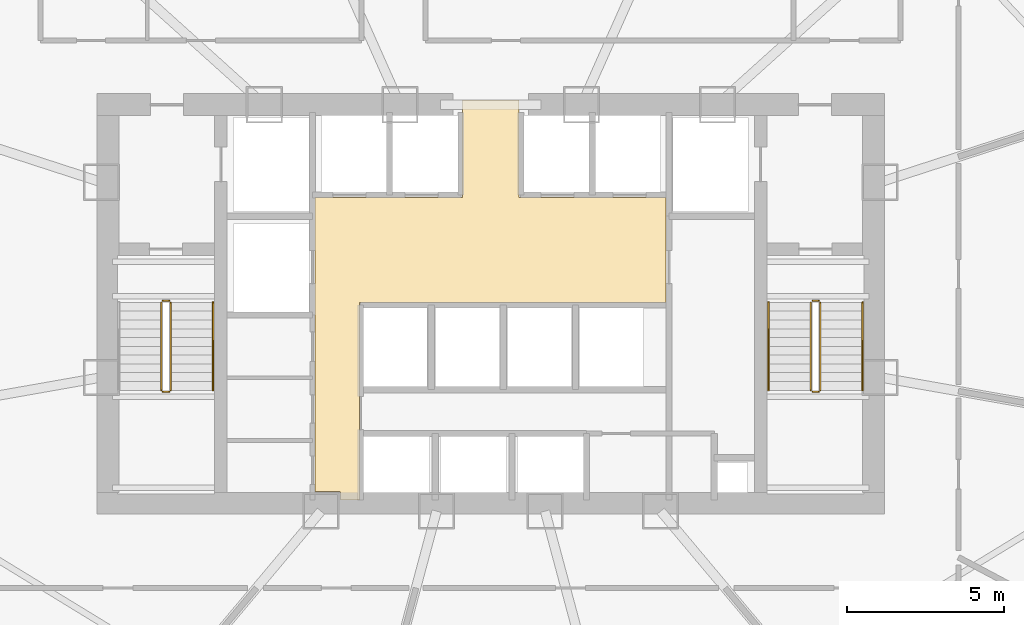
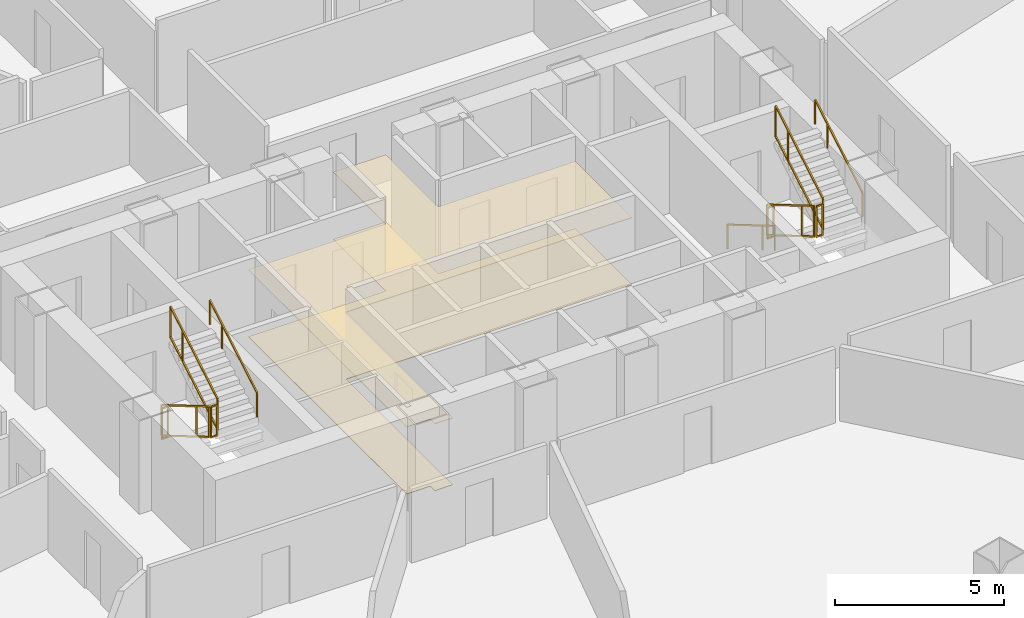
# One storey, part 35 of 37: 11 railings, 2 coverings.
"""IFC4 building model written with IfcOpenShell, lengths in metres."""

from ifc_helpers import new_model, si_unit, direction, frame, origin, origin_2d, place, context, subcontext, project, spatial, polyline, rectangle, outline, extrude, material, layer, layer_set, type_object, element, save


model = new_model("IFC4")

# Units and contexts
model_context = context("Model", 3, precision=1e-05, world=origin(), true_north=direction((0.0, 1.0)))
body_context = subcontext(model_context, "Body", "Model", "MODEL_VIEW")
ifc_project = project(units=[si_unit("LENGTHUNIT", "METRE"), si_unit("AREAUNIT", "SQUARE_METRE"), si_unit("VOLUMEUNIT", "CUBIC_METRE"), si_unit("PLANEANGLEUNIT", "RADIAN"), si_unit("MASSUNIT", "GRAM", prefix="KILO"), si_unit("THERMODYNAMICTEMPERATUREUNIT", "KELVIN"), si_unit("POWERUNIT", "WATT")], contexts=[model_context])

# Site, building, storey
site_placement = place(None, origin())
site = spatial("IfcSite", under=ifc_project, at=site_placement, CompositionType="ELEMENT")
building_placement = place(site_placement, origin())
building = spatial("IfcBuilding", under=site, at=building_placement, Name="Yunzhuo Pagoda Commons", CompositionType="ELEMENT")
storey_placement = place(building_placement, frame((0.0, 0.0, 55.81005859375)))
storey = spatial("IfcBuildingStorey", under=building, at=storey_placement, Name="L14", CompositionType="ELEMENT", Elevation=55.81005859375)

# Coverings
ifc_material_1 = material(Name="Mineral fibre acoustic ceiling board")
ifc_layer_1 = layer(ifc_material_1, 0.02490234375)
ifc_layer_set_1 = layer_set([ifc_layer_1], Name="Mineral fibre acoustic ceiling board")
covering_type_1 = type_object("IfcCoveringType", Name="COV-CL1 Ceiling 25", PredefinedType="CEILING", material=ifc_layer_set_1)
covering_1_placement = place(storey_placement, frame((0.0, 0.0, 2.419921875)))
element("IfcCovering", 1, at=covering_1_placement, inside=storey, type_object=covering_type_1, Name="L14 lift lobby acoustic ceiling", PredefinedType="CEILING", context=body_context, shape_type="SweptSolid", body=[
    extrude(outline(polyline([(43.207763671875, 27.85009765625), (43.201904296875, 27.864013671875), (43.187744140625, 27.8701171875), (42.39990234375, 27.8701171875), (42.39990234375, 33.89990234375), (42.39990234375, 37.25), (47.10009765625, 37.25), (47.10009765625, 40.35009765625), (48.89990234375, 40.35009765625), (48.89990234375, 37.25), (53.580078125, 37.25), (53.580078125, 33.89990234375), (43.820068359375, 33.89990234375), (43.820068359375, 27.60009765625), (43.207763671875, 27.60009765625), (43.207763671875, 27.85009765625)])), origin(), (0.0, 0.0, 1.0), 0.02490234375),
])
ifc_material_2 = material(Name="Porcelain ceramic floor tile")
ifc_layer_2 = layer(ifc_material_2, 0.02001953125)
ifc_layer_set_2 = layer_set([ifc_layer_2], Name="Porcelain ceramic floor tile")
covering_type_2 = type_object("IfcCoveringType", Name="COV-FL1 Flooring 20", PredefinedType="FLOORING", material=ifc_layer_set_2)
covering_2_placement = place(storey_placement, origin())
element("IfcCovering", 2, at=covering_2_placement, inside=storey, type_object=covering_type_2, Name="L14 lift lobby flooring", PredefinedType="FLOORING", context=body_context, shape_type="SweptSolid", body=[
    extrude(outline(polyline([(43.207763671875, 27.85009765625), (43.201904296875, 27.864013671875), (43.187744140625, 27.8701171875), (42.39990234375, 27.8701171875), (42.39990234375, 33.89990234375), (42.39990234375, 37.25), (47.10009765625, 37.25), (47.10009765625, 40.35009765625), (48.89990234375, 40.35009765625), (48.89990234375, 37.25), (53.580078125, 37.25), (53.580078125, 33.89990234375), (43.820068359375, 33.89990234375), (43.820068359375, 27.60009765625), (43.207763671875, 27.60009765625), (43.207763671875, 27.85009765625)])), origin(), (0.0, 0.0, 1.0), 0.02001953125),
])

# Railings
ifc_material_3 = material(Name="Anodized aluminium 6063-T6", Category="aluminium")
railing_type_1 = type_object("IfcRailingType", Name="GR-ST1 Stair Well Guardrail 1150", PredefinedType="GUARDRAIL", material=ifc_material_3)
railing_1_placement = place(storey_placement, frame((37.5, 33.89990234375, 0.1650390625)))
element("IfcRailing", 3, at=railing_1_placement, inside=storey, type_object=railing_type_1, Name="L14 ST1 stair guard 1", PredefinedType="GUARDRAIL", context=body_context, shape_type="SweptSolid", body=[
    extrude(rectangle(XDim=0.048095703125, YDim=0.048095703125, at=origin_2d()), frame((0.0, 0.0, 1.1259765625), z_axis=(0.0, -0.861536114422, 0.507696290658), x_axis=(1.0, 0.0, 0.0)), (0.0, 0.0, 1.0), 3.249755859375),
    extrude(rectangle(XDim=0.048095703125, YDim=0.048095703125, at=origin_2d()), frame((0.0, 0.0, 0.02392578125), z_axis=(0.0, -0.861536114422, 0.507696290658), x_axis=(1.0, 0.0, 0.0)), (0.0, 0.0, 1.0), 3.249755859375),
    extrude(rectangle(XDim=0.0419921875, YDim=0.0419921875, at=origin_2d()), origin(), (0.0, 0.0, 1.0), 1.101806640625),
    extrude(rectangle(XDim=0.0419921875, YDim=0.0419921875, at=origin_2d()), frame((0.0, -2.067626953125, 1.218505859375)), (0.0, 0.0, 1.0), 1.101806640625),
    extrude(rectangle(XDim=0.0419921875, YDim=0.0419921875, at=origin_2d()), frame((0.0, -2.7998046875, 1.64990234375)), (0.0, 0.0, 1.0), 1.101806640625),
])
railing_2_placement = place(storey_placement, frame((37.550048828125, 31.050048828125, 1.81494140625)))
element("IfcRailing", 4, at=railing_2_placement, inside=storey, type_object=railing_type_1, Name="L14 ST1 stair guard 2", PredefinedType="GUARDRAIL", context=body_context, shape_type="SweptSolid", body=[
    extrude(rectangle(XDim=0.048095703125, YDim=0.048095703125, at=origin_2d()), frame((0.0, 0.0, 1.1259765625), z_axis=(1.0, 0.0, 0.0), x_axis=(0.0, 1.0, 0.0)), (0.0, 0.0, 1.0), 0.199951171875),
    extrude(rectangle(XDim=0.048095703125, YDim=0.048095703125, at=origin_2d()), frame((0.0, 0.0, 0.02392578125), z_axis=(1.0, 0.0, 0.0), x_axis=(0.0, 1.0, 0.0)), (0.0, 0.0, 1.0), 0.199951171875),
    extrude(rectangle(XDim=0.0419921875, YDim=0.0419921875, at=origin_2d()), origin(), (0.0, 0.0, 1.0), 1.101806640625),
    extrude(rectangle(XDim=0.0419921875, YDim=0.0419921875, at=origin_2d()), frame((0.199951171875, 0.0, 0.0)), (0.0, 0.0, 1.0), 1.101806640625),
])
railing_3_placement = place(storey_placement, frame((37.800048828125, 31.10009765625, 1.97998046875)))
element("IfcRailing", 5, at=railing_3_placement, inside=storey, type_object=railing_type_1, Name="L14 ST1 stair guard 3", PredefinedType="GUARDRAIL", context=body_context, shape_type="SweptSolid", body=[
    extrude(rectangle(XDim=0.048095703125, YDim=0.048095703125, at=origin_2d()), frame((0.0, 0.0, 1.1259765625), z_axis=(0.0, 0.861536114422, 0.507696290658), x_axis=(-1.0, 0.0, 0.0)), (0.0, 0.0, 1.0), 3.249755859375),
    extrude(rectangle(XDim=0.048095703125, YDim=0.048095703125, at=origin_2d()), frame((0.0, 0.0, 0.02392578125), z_axis=(0.0, 0.861536114422, 0.507696290658), x_axis=(-1.0, 0.0, 0.0)), (0.0, 0.0, 1.0), 3.249755859375),
    extrude(rectangle(XDim=0.0419921875, YDim=0.0419921875, at=origin_2d()), origin(), (0.0, 0.0, 1.0), 1.101806640625),
    extrude(rectangle(XDim=0.0419921875, YDim=0.0419921875, at=origin_2d()), frame((0.0, 2.067626953125, 1.218505859375)), (0.0, 0.0, 1.0), 1.101806640625),
    extrude(rectangle(XDim=0.0419921875, YDim=0.0419921875, at=origin_2d()), frame((0.0, 2.7998046875, 1.64990234375)), (0.0, 0.0, 1.0), 1.101806640625),
])
railing_4_placement = place(storey_placement, frame((37.550048828125, 33.949951171875, 0.0)))
element("IfcRailing", 6, at=railing_4_placement, inside=storey, type_object=railing_type_1, Name="L14 ST1 stair guard 4", PredefinedType="GUARDRAIL", context=body_context, shape_type="SweptSolid", body=[
    extrude(rectangle(XDim=0.048095703125, YDim=0.048095703125, at=origin_2d()), frame((0.0, 0.0, 1.1259765625), z_axis=(1.0, 0.0, 0.0), x_axis=(0.0, 1.0, 0.0)), (0.0, 0.0, 1.0), 0.199951171875),
    extrude(rectangle(XDim=0.048095703125, YDim=0.048095703125, at=origin_2d()), frame((0.0, 0.0, 0.02392578125), z_axis=(1.0, 0.0, 0.0), x_axis=(0.0, 1.0, 0.0)), (0.0, 0.0, 1.0), 0.199951171875),
    extrude(rectangle(XDim=0.0419921875, YDim=0.0419921875, at=origin_2d()), origin(), (0.0, 0.0, 1.0), 1.101806640625),
    extrude(rectangle(XDim=0.0419921875, YDim=0.0419921875, at=origin_2d()), frame((0.199951171875, 0.0, 0.0)), (0.0, 0.0, 1.0), 1.101806640625),
])
railing_type_2 = type_object("IfcRailingType", Name="GR-ST2 Stair Well Guardrail 1160", PredefinedType="GUARDRAIL", material=ifc_material_3)
railing_5_placement = place(storey_placement, frame((58.199951171875, 33.89990234375, 0.1650390625)))
element("IfcRailing", 7, at=railing_5_placement, inside=storey, type_object=railing_type_2, Name="L14 ST2 stair guard 1", PredefinedType="GUARDRAIL", context=body_context, shape_type="SweptSolid", body=[
    extrude(rectangle(XDim=0.048095703125, YDim=0.048095703125, at=origin_2d()), frame((0.0, 0.0, 1.1259765625), z_axis=(0.0, -0.861536114422, 0.507696290658), x_axis=(1.0, 0.0, 0.0)), (0.0, 0.0, 1.0), 3.249755859375),
    extrude(rectangle(XDim=0.048095703125, YDim=0.048095703125, at=origin_2d()), frame((0.0, 0.0, 0.02392578125), z_axis=(0.0, -0.861536114422, 0.507696290658), x_axis=(1.0, 0.0, 0.0)), (0.0, 0.0, 1.0), 3.249755859375),
    extrude(rectangle(XDim=0.0419921875, YDim=0.0419921875, at=origin_2d()), origin(), (0.0, 0.0, 1.0), 1.101806640625),
    extrude(rectangle(XDim=0.0419921875, YDim=0.0419921875, at=origin_2d()), frame((0.0, -2.067626953125, 1.218505859375)), (0.0, 0.0, 1.0), 1.101806640625),
    extrude(rectangle(XDim=0.0419921875, YDim=0.0419921875, at=origin_2d()), frame((0.0, -2.7998046875, 1.64990234375)), (0.0, 0.0, 1.0), 1.101806640625),
])
railing_6_placement = place(storey_placement, frame((58.25, 31.050048828125, 1.81494140625)))
element("IfcRailing", 8, at=railing_6_placement, inside=storey, type_object=railing_type_2, Name="L14 ST2 stair guard 2", PredefinedType="GUARDRAIL", context=body_context, shape_type="SweptSolid", body=[
    extrude(rectangle(XDim=0.048095703125, YDim=0.048095703125, at=origin_2d()), frame((0.0, 0.0, 1.1259765625), z_axis=(1.0, 0.0, 0.0), x_axis=(0.0, 1.0, 0.0)), (0.0, 0.0, 1.0), 0.199951171875),
    extrude(rectangle(XDim=0.048095703125, YDim=0.048095703125, at=origin_2d()), frame((0.0, 0.0, 0.02392578125), z_axis=(1.0, 0.0, 0.0), x_axis=(0.0, 1.0, 0.0)), (0.0, 0.0, 1.0), 0.199951171875),
    extrude(rectangle(XDim=0.0419921875, YDim=0.0419921875, at=origin_2d()), origin(), (0.0, 0.0, 1.0), 1.101806640625),
    extrude(rectangle(XDim=0.0419921875, YDim=0.0419921875, at=origin_2d()), frame((0.199951171875, 0.0, 0.0)), (0.0, 0.0, 1.0), 1.101806640625),
])
railing_7_placement = place(storey_placement, frame((58.5, 31.10009765625, 1.97998046875)))
element("IfcRailing", 9, at=railing_7_placement, inside=storey, type_object=railing_type_2, Name="L14 ST2 stair guard 3", PredefinedType="GUARDRAIL", context=body_context, shape_type="SweptSolid", body=[
    extrude(rectangle(XDim=0.048095703125, YDim=0.048095703125, at=origin_2d()), frame((0.0, 0.0, 1.1259765625), z_axis=(0.0, 0.861536114422, 0.507696290658), x_axis=(-1.0, 0.0, 0.0)), (0.0, 0.0, 1.0), 3.249755859375),
    extrude(rectangle(XDim=0.048095703125, YDim=0.048095703125, at=origin_2d()), frame((0.0, 0.0, 0.02392578125), z_axis=(0.0, 0.861536114422, 0.507696290658), x_axis=(-1.0, 0.0, 0.0)), (0.0, 0.0, 1.0), 3.249755859375),
    extrude(rectangle(XDim=0.0419921875, YDim=0.0419921875, at=origin_2d()), origin(), (0.0, 0.0, 1.0), 1.101806640625),
    extrude(rectangle(XDim=0.0419921875, YDim=0.0419921875, at=origin_2d()), frame((0.0, 2.067626953125, 1.218505859375)), (0.0, 0.0, 1.0), 1.101806640625),
    extrude(rectangle(XDim=0.0419921875, YDim=0.0419921875, at=origin_2d()), frame((0.0, 2.7998046875, 1.64990234375)), (0.0, 0.0, 1.0), 1.101806640625),
])
railing_8_placement = place(storey_placement, frame((58.25, 33.949951171875, 0.0)))
element("IfcRailing", 10, at=railing_8_placement, inside=storey, type_object=railing_type_2, Name="L14 ST2 stair guard 4", PredefinedType="GUARDRAIL", context=body_context, shape_type="SweptSolid", body=[
    extrude(rectangle(XDim=0.048095703125, YDim=0.048095703125, at=origin_2d()), frame((0.0, 0.0, 1.1259765625), z_axis=(1.0, 0.0, 0.0), x_axis=(0.0, 1.0, 0.0)), (0.0, 0.0, 1.0), 0.199951171875),
    extrude(rectangle(XDim=0.048095703125, YDim=0.048095703125, at=origin_2d()), frame((0.0, 0.0, 0.02392578125), z_axis=(1.0, 0.0, 0.0), x_axis=(0.0, 1.0, 0.0)), (0.0, 0.0, 1.0), 0.199951171875),
    extrude(rectangle(XDim=0.0419921875, YDim=0.0419921875, at=origin_2d()), origin(), (0.0, 0.0, 1.0), 1.101806640625),
    extrude(rectangle(XDim=0.0419921875, YDim=0.0419921875, at=origin_2d()), frame((0.199951171875, 0.0, 0.0)), (0.0, 0.0, 1.0), 1.101806640625),
])
railing_type_3 = type_object("IfcRailingType", Name="HR-ST1 Stair Handrail 900", PredefinedType="HANDRAIL", material=ifc_material_3)
railing_9_placement = place(storey_placement, frame((39.14990234375, 31.10009765625, 1.97998046875)))
element("IfcRailing", 11, at=railing_9_placement, inside=storey, type_object=railing_type_3, Name="L14 ST1 stair handrail 2", PredefinedType="HANDRAIL", context=body_context, shape_type="SweptSolid", body=[
    extrude(rectangle(XDim=0.048095703125, YDim=0.048095703125, at=origin_2d()), frame((0.0, 0.0, 0.8759765625), z_axis=(0.0, 0.861536114422, 0.507696290658), x_axis=(-1.0, 0.0, 0.0)), (0.0, 0.0, 1.0), 3.249755859375),
    extrude(rectangle(XDim=0.0419921875, YDim=0.0419921875, at=origin_2d()), origin(), (0.0, 0.0, 1.0), 0.851806640625),
    extrude(rectangle(XDim=0.0419921875, YDim=0.0419921875, at=origin_2d()), frame((0.0, 2.067626953125, 1.218505859375)), (0.0, 0.0, 1.0), 0.851806640625),
    extrude(rectangle(XDim=0.0419921875, YDim=0.0419921875, at=origin_2d()), frame((0.0, 2.7998046875, 1.64990234375)), (0.0, 0.0, 1.0), 0.851806640625),
])
railing_type_4 = type_object("IfcRailingType", Name="HR-ST2 Stair Handrail 900", PredefinedType="HANDRAIL", material=ifc_material_3)
railing_10_placement = place(storey_placement, frame((56.85009765625, 33.89990234375, 0.1650390625)))
element("IfcRailing", 12, at=railing_10_placement, inside=storey, type_object=railing_type_4, Name="L14 ST2 stair handrail 1", PredefinedType="HANDRAIL", context=body_context, shape_type="SweptSolid", body=[
    extrude(rectangle(XDim=0.048095703125, YDim=0.048095703125, at=origin_2d()), frame((0.0, 0.0, 0.8759765625), z_axis=(0.0, -0.861536114422, 0.507696290658), x_axis=(1.0, 0.0, 0.0)), (0.0, 0.0, 1.0), 3.249755859375),
    extrude(rectangle(XDim=0.0419921875, YDim=0.0419921875, at=origin_2d()), origin(), (0.0, 0.0, 1.0), 0.851806640625),
    extrude(rectangle(XDim=0.0419921875, YDim=0.0419921875, at=origin_2d()), frame((0.0, -2.067626953125, 1.218505859375)), (0.0, 0.0, 1.0), 0.851806640625),
    extrude(rectangle(XDim=0.0419921875, YDim=0.0419921875, at=origin_2d()), frame((0.0, -2.7998046875, 1.64990234375)), (0.0, 0.0, 1.0), 0.851806640625),
])
railing_11_placement = place(storey_placement, frame((59.85009765625, 31.10009765625, 1.97998046875)))
element("IfcRailing", 13, at=railing_11_placement, inside=storey, type_object=railing_type_4, Name="L14 ST2 stair handrail 2", PredefinedType="HANDRAIL", context=body_context, shape_type="SweptSolid", body=[
    extrude(rectangle(XDim=0.048095703125, YDim=0.048095703125, at=origin_2d()), frame((0.0, 0.0, 0.8759765625), z_axis=(0.0, 0.861536114422, 0.507696290658), x_axis=(-1.0, 0.0, 0.0)), (0.0, 0.0, 1.0), 3.249755859375),
    extrude(rectangle(XDim=0.0419921875, YDim=0.0419921875, at=origin_2d()), origin(), (0.0, 0.0, 1.0), 0.851806640625),
    extrude(rectangle(XDim=0.0419921875, YDim=0.0419921875, at=origin_2d()), frame((0.0, 2.067626953125, 1.218505859375)), (0.0, 0.0, 1.0), 0.851806640625),
    extrude(rectangle(XDim=0.0419921875, YDim=0.0419921875, at=origin_2d()), frame((0.0, 2.7998046875, 1.64990234375)), (0.0, 0.0, 1.0), 0.851806640625),
])

save(model, "model.ifc")
